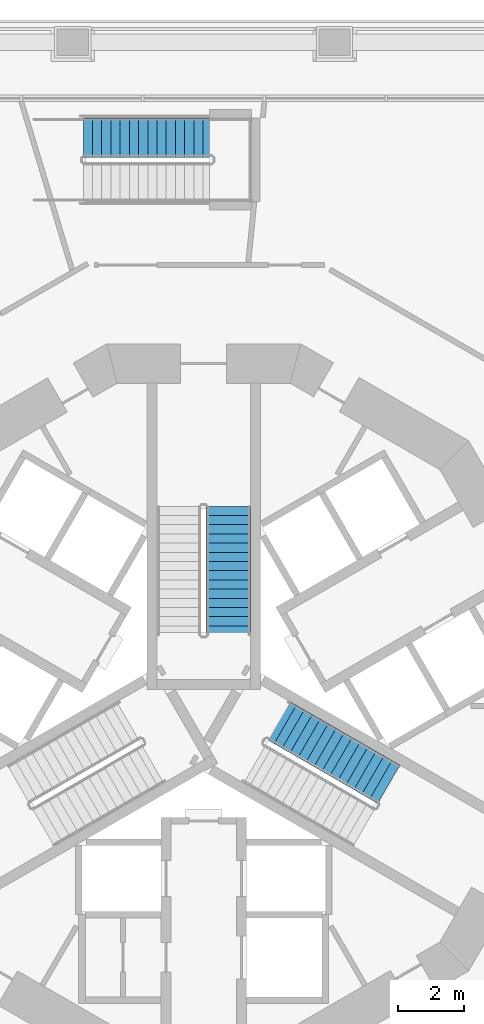
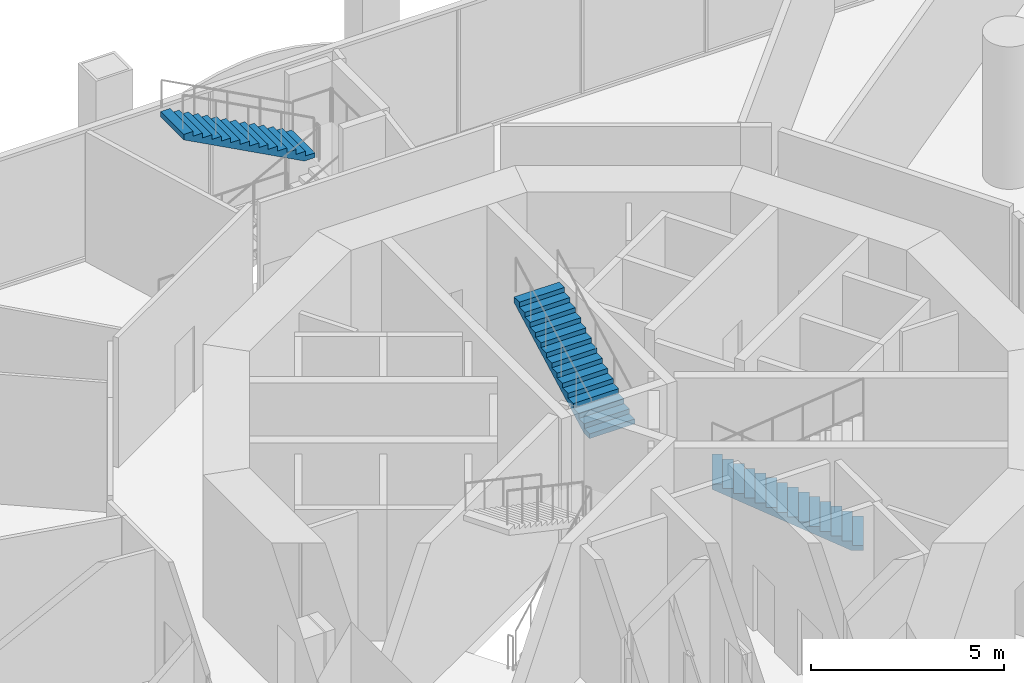
# One storey, part 15 of 23: 3 stair flights, 3 elements without a shape of their own.
"""IFC4 building model written with IfcOpenShell, lengths in metres."""

import ifcopenshell
import ifcopenshell.guid

model = None  # the IFC model being written
_history = None  # IfcOwnerHistory: only IFC2X3 demands one
_inside = {}  # id of a spatial element -> (the spatial element, [elements in it])
_under = {}  # id of a project, library or spatial element -> (it, [spatial elements below it])
_declared = {}  # id of a project -> (the project, [libraries it declares])
_typed = {}  # id of a type object -> (the type object, [elements of that type])
_made_of = {}  # id of a material, layer set ... -> (it, [elements and type objects made of it])


def new_model(schema):
    """Start an empty IFC model of exactly this schema.

    Asked for "IFC4X3", IfcOpenShell would pick the latest addendum, in which some entities
    have other attributes; the version numbers below select the first issue.
    IFC2X3 requires an IfcOwnerHistory on every rooted entity: one is made here for all.
    """
    global model, _history
    if schema == "IFC4X3":
        model = ifcopenshell.file(schema_version=(4, 3, 0, 0))
    else:
        model = ifcopenshell.file(schema=schema)
    _inside.clear()
    _under.clear()
    _declared.clear()
    _typed.clear()
    _made_of.clear()
    _history = None
    if model.schema == "IFC2X3":
        org = make("IfcOrganization", Name="unknown")
        user = make(
            "IfcPersonAndOrganization",
            ThePerson=make("IfcPerson", FamilyName="unknown"),
            TheOrganization=org,
        )
        app = make(
            "IfcApplication",
            ApplicationDeveloper=org,
            Version="unknown",
            ApplicationFullName="unknown",
            ApplicationIdentifier="unknown",
        )
        _history = make(
            "IfcOwnerHistory",
            OwningUser=user,
            OwningApplication=app,
            ChangeAction="ADDED",
            CreationDate=0,
        )
    return model


def make(cls, **values):
    """One entity of the class cls with the attributes given. An attribute that is None is left unset."""
    return model.create_entity(
        cls, **{name: value for name, value in values.items() if value is not None}
    )


def rooted(cls, **values):
    """An entity with a GlobalId (a new one), such as an element, a storey or a relation."""
    return make(cls, GlobalId=ifcopenshell.guid.new(), OwnerHistory=_history, **values)


def si_unit(unit_type, name, prefix=None):
    """IfcSIUnit, for example si_unit("LENGTHUNIT", "METRE", prefix="MILLI")."""
    return make("IfcSIUnit", UnitType=unit_type, Prefix=prefix, Name=name)


def assignment(units):
    """IfcUnitAssignment: the units of a project."""
    return None if units is None else make("IfcUnitAssignment", Units=units)


def point(xyz):
    """IfcCartesianPoint."""
    return None if xyz is None else make("IfcCartesianPoint", Coordinates=xyz)


def direction(xyz):
    """IfcDirection."""
    return None if xyz is None else make("IfcDirection", DirectionRatios=xyz)


def frame(location, z_axis=None, x_axis=None):
    """IfcAxis2Placement3D, a coordinate frame: its origin and axes. An axis left out is left unset."""
    return make(
        "IfcAxis2Placement3D",
        Location=point(location),
        Axis=direction(z_axis),
        RefDirection=direction(x_axis),
    )


def origin():
    """The frame at (0, 0, 0) with its axes left unset."""
    return frame((0.0, 0.0, 0.0))


def place(relative_to, where):
    """IfcLocalPlacement: puts the frame where relative to a parent placement (None: the world)."""
    return make(
        "IfcLocalPlacement", PlacementRelTo=relative_to, RelativePlacement=where
    )


def context(
    kind, dimensions, precision=None, world=None, true_north=None, identifier=None
):
    """IfcGeometricRepresentationContext, for example the 3D "Model" context."""
    return make(
        "IfcGeometricRepresentationContext",
        ContextIdentifier=identifier,
        ContextType=kind,
        CoordinateSpaceDimension=dimensions,
        Precision=precision,
        WorldCoordinateSystem=world,
        TrueNorth=true_north,
    )


def subcontext(parent, identifier, kind, view, scale=None):
    """IfcGeometricRepresentationSubContext, for example "Body" below "Model"."""
    return make(
        "IfcGeometricRepresentationSubContext",
        ContextIdentifier=identifier,
        ContextType=kind,
        ParentContext=parent,
        TargetScale=scale,
        TargetView=view,
    )


def project(units=None, contexts=None):
    """IfcProject with its units and contexts."""
    return rooted(
        "IfcProject",
        Name="project",
        RepresentationContexts=contexts,
        UnitsInContext=assignment(units),
    )


def spatial(cls, under=None, at=None, **own):
    """A site, building, storey or space (cls), placed at a placement, below another one or the project."""
    s = rooted(cls, ObjectPlacement=at, **own)
    if under is not None:
        _under.setdefault(under.id(), (under, []))[1].append(s)
    return s


def polyline(points):
    """IfcPolyline through the points."""
    return make("IfcPolyline", Points=[point(p) for p in points])


def outline(outer, holes=None, kind="AREA"):
    """IfcArbitraryClosedProfileDef: a profile drawn as a closed curve; with holes, ...WithVoids."""
    if holes is None:
        return make("IfcArbitraryClosedProfileDef", ProfileType=kind, OuterCurve=outer)
    return make(
        "IfcArbitraryProfileDefWithVoids",
        ProfileType=kind,
        OuterCurve=outer,
        InnerCurves=holes,
    )


def extrude(swept, where, along, depth):
    """IfcExtrudedAreaSolid: the profile swept, set in the frame where, extruded along a direction by depth."""
    return make(
        "IfcExtrudedAreaSolid",
        SweptArea=swept,
        Position=where,
        ExtrudedDirection=direction(along),
        Depth=depth,
    )


def shape(context_of_items, identifier, shape_type, items):
    """IfcShapeRepresentation: the items that make up one representation, for example the "Body"."""
    return make(
        "IfcShapeRepresentation",
        ContextOfItems=context_of_items,
        RepresentationIdentifier=identifier,
        RepresentationType=shape_type,
        Items=items,
    )


def material(Name=None, Category=None):
    """IfcMaterial."""
    return make("IfcMaterial", Name=Name, Category=Category)


def made_of(thing, what):
    """Note that an element or type object is made of a material, layer set ...; save() writes the relation."""
    if what is not None:
        _made_of.setdefault(what.id(), (what, []))[1].append(thing)
    return thing


def type_object(cls, material=None, **own):
    """A type object (cls), such as IfcWallType, which elements share."""
    return made_of(rooted(cls, **own), material)


def element(
    cls,
    number,
    at=None,
    inside=None,
    cuts=None,
    type_object=None,
    material=None,
    context=None,
    identifier="Body",
    shape_type=None,
    held_by="IfcProductDefinitionShape",
    body=None,
    shapes=None,
    **own,
):
    """One element of the class cls, such as IfcWall. Its Tag is "e" and its number.

    at: its placement. inside: the storey or other place that contains it. cuts: it is an
    opening in that element (IfcRelVoidsElement). A single representation is given by context,
    identifier, shape_type and body (its items); several are given by shapes. held_by: the class
    of the entity that holds the representations. save() writes the other relations.
    """
    e = rooted(cls, Tag="e%d" % number, ObjectPlacement=at, **own)
    if body is not None:
        shapes = [shape(context, identifier, shape_type, body)]
    if shapes is not None:
        e.Representation = make(held_by, Representations=shapes)
    if inside is not None:
        _inside.setdefault(inside.id(), (inside, []))[1].append(e)
    if cuts is not None:
        rooted(
            "IfcRelVoidsElement", RelatingBuildingElement=cuts, RelatedOpeningElement=e
        )
    if type_object is not None:
        _typed.setdefault(type_object.id(), (type_object, []))[1].append(e)
    return made_of(e, material)


def aggregate(whole, parts):
    """IfcRelAggregates: a whole, such as a stair, and the parts it consists of."""
    return rooted("IfcRelAggregates", RelatingObject=whole, RelatedObjects=parts)


def save(model, path):
    """Write the relations noted so far, then the file.

    IfcRelAggregates (storeys below a building ...), IfcRelContainedInSpatialStructure (elements
    in a storey), IfcRelDefinesByType, IfcRelAssociatesMaterial and IfcRelDeclares: one each for
    every whole, place, type object, material and project.
    """
    for whole, parts in _under.values():
        aggregate(whole, parts)
    for where, things in _inside.values():
        rooted(
            "IfcRelContainedInSpatialStructure",
            RelatedElements=things,
            RelatingStructure=where,
        )
    for kind, things in _typed.values():
        rooted("IfcRelDefinesByType", RelatedObjects=things, RelatingType=kind)
    for what, things in _made_of.values():
        rooted("IfcRelAssociatesMaterial", RelatedObjects=things, RelatingMaterial=what)
    for by, libraries in _declared.values():
        rooted("IfcRelDeclares", RelatingContext=by, RelatedDefinitions=libraries)
    model.write(path)


model = new_model("IFC4")

# Units and contexts
model_context = context("Model", 3, precision=1e-05, world=origin(), true_north=direction((0.0, 1.0)))
body_context = subcontext(model_context, "Body", "Model", "MODEL_VIEW")
ifc_project = project(units=[si_unit("LENGTHUNIT", "METRE"), si_unit("AREAUNIT", "SQUARE_METRE"), si_unit("VOLUMEUNIT", "CUBIC_METRE"), si_unit("PLANEANGLEUNIT", "RADIAN"), si_unit("MASSUNIT", "GRAM", prefix="KILO")], contexts=[model_context])

# Site, building, storey
site_placement = place(None, origin())
site = spatial("IfcSite", under=ifc_project, at=site_placement, CompositionType="ELEMENT")
building_placement = place(site_placement, origin())
building = spatial("IfcBuilding", under=site, at=building_placement, Name="Trine Commons Tower", CompositionType="ELEMENT")
storey_placement = place(building_placement, frame((0.0, 0.0, 18.0)))
storey = spatial("IfcBuildingStorey", under=building, at=storey_placement, Name="L03", CompositionType="ELEMENT", Elevation=18.0)

# Stair, stair flight
ifc_material_1 = material(Name="Concrete C40/50", Category="concrete")
stair_type_1 = type_object("IfcStairType", Name="Podium stair, dog-leg 1200 mm, C40/50", PredefinedType="HALF_TURN_STAIR", material=ifc_material_1)
stair_1_placement = place(storey_placement, origin())
stair_1 = element("IfcStair", 1, at=stair_1_placement, inside=storey, type_object=stair_type_1, Name="L03 Podium stair", PredefinedType="HALF_TURN_STAIR")
stair_flight_type_1 = type_object("IfcStairFlightType", Name="Podium stair flight 1200 mm, C40/50", PredefinedType="STRAIGHT", material=ifc_material_1)
stair_flight_1_placement = place(storey_placement, frame((80.260009765625, 79.784912109375, 2.25), z_axis=(0.0, 0.0, 1.0), x_axis=(-1.0, 0.0, 0.0)))
stair_flight_1 = element("IfcStairFlight", 2, at=stair_flight_1_placement, type_object=stair_flight_type_1, Name="PS1 flight 2", NumberOfRisers=15, NumberOfTreads=14, PredefinedType="STRAIGHT", RiserHeight=0.15, TreadLength=0.28, context=body_context, shape_type="SweptSolid", body=[
    extrude(outline(polyline([(0.0, 0.0), (0.0, 0.14990234375), (0.280029296875, 0.14990234375), (0.280029296875, 0.300048828125), (0.56005859375, 0.300048828125), (0.56005859375, 0.449951171875), (0.840087890625, 0.449951171875), (0.840087890625, 0.60009765625), (1.1201171875, 0.60009765625), (1.1201171875, 0.75), (1.39990234375, 0.75), (1.39990234375, 0.89990234375), (1.679931640625, 0.89990234375), (1.679931640625, 1.050048828125), (1.9599609375, 1.050048828125), (1.9599609375, 1.199951171875), (2.239990234375, 1.199951171875), (2.239990234375, 1.35009765625), (2.52001953125, 1.35009765625), (2.52001953125, 1.5), (2.800048828125, 1.5), (2.800048828125, 1.64990234375), (3.080078125, 1.64990234375), (3.080078125, 1.800048828125), (3.360107421875, 1.800048828125), (3.360107421875, 1.949951171875), (3.639892578125, 1.949951171875), (3.639892578125, 2.10009765625), (3.919921875, 2.10009765625), (3.919921875, 2.25), (3.919921875, 1.929931640625), (0.3173828125, 0.0), (0.0, 0.0)])), frame((0.0, 0.60009765625, 0.0), z_axis=(0.0, -1.0, 0.0), x_axis=(1.0, 0.0, 0.0)), (0.0, 0.0, 1.0), 1.199951171875),
])
aggregate(stair_1, [stair_flight_1])

ifc_material_2 = material(Name="Concrete C50/60", Category="concrete")
stair_type_2 = type_object("IfcStairType", Name="Exit stair, dog-leg, 30 risers of 150 mm", PredefinedType="HALF_TURN_STAIR", material=ifc_material_2)
stair_2_placement = place(storey_placement, origin())
stair_2 = element("IfcStair", 3, at=stair_2_placement, inside=storey, type_object=stair_type_2, Name="L03 Exit stair ST1A", PredefinedType="HALF_TURN_STAIR")
stair_flight_type_2 = type_object("IfcStairFlightType", Name="Stair flight, 1350 wide, 15 risers of 150 mm", PredefinedType="STRAIGHT", material=ifc_material_2)
stair_flight_2_placement = place(storey_placement, frame((80.75, 64.650634765625, 2.25), z_axis=(0.0, 0.0, 1.0), x_axis=(0.0, 1.0, 0.0)))
stair_flight_2 = element("IfcStairFlight", 4, at=stair_flight_2_placement, type_object=stair_flight_type_2, Name="ST1A flight 2", NumberOfRisers=15, NumberOfTreads=14, PredefinedType="STRAIGHT", RiserHeight=0.15, TreadLength=0.28, context=body_context, shape_type="SweptSolid", body=[
    extrude(outline(polyline([(0.0, 0.0), (0.0, 0.14990234375), (0.280029296875, 0.14990234375), (0.280029296875, 0.300048828125), (0.56005859375, 0.300048828125), (0.56005859375, 0.449951171875), (0.840087890625, 0.449951171875), (0.840087890625, 0.60009765625), (1.1201171875, 0.60009765625), (1.1201171875, 0.75), (1.39990234375, 0.75), (1.39990234375, 0.89990234375), (1.679931640625, 0.89990234375), (1.679931640625, 1.050048828125), (1.9599609375, 1.050048828125), (1.9599609375, 1.199951171875), (2.239990234375, 1.199951171875), (2.239990234375, 1.35009765625), (2.52001953125, 1.35009765625), (2.52001953125, 1.5), (2.800048828125, 1.5), (2.800048828125, 1.64990234375), (3.080078125, 1.64990234375), (3.080078125, 1.800048828125), (3.360107421875, 1.800048828125), (3.360107421875, 1.949951171875), (3.639892578125, 1.949951171875), (3.639892578125, 2.10009765625), (3.919921875, 2.10009765625), (3.919921875, 2.25), (3.919921875, 1.929931640625), (0.3173828125, 0.0), (0.0, 0.0)])), frame((0.0, 0.675048828125, 0.0), z_axis=(0.0, -1.0, 0.0), x_axis=(1.0, 0.0, 0.0)), (0.0, 0.0, 1.0), 1.35009765625),
])
aggregate(stair_2, [stair_flight_2])

stair_3_placement = place(storey_placement, origin())
stair_3 = element("IfcStair", 5, at=stair_3_placement, inside=storey, type_object=stair_type_2, Name="L03 Exit stair ST3A", PredefinedType="HALF_TURN_STAIR")
stair_flight_3_placement = place(storey_placement, frame((85.63232421875, 60.1142578125, 0.0), z_axis=(0.0, 0.0, 1.0), x_axis=(-0.866025403784, 0.5, 0.0)))
stair_flight_3 = element("IfcStairFlight", 6, at=stair_flight_3_placement, type_object=stair_flight_type_2, Name="ST3A flight 1", NumberOfRisers=15, NumberOfTreads=14, PredefinedType="STRAIGHT", RiserHeight=0.15, TreadLength=0.28, context=body_context, shape_type="SweptSolid", body=[
    extrude(outline(polyline([(0.0, 0.0), (0.0, 0.14990234375), (0.280029296875, 0.14990234375), (0.280029296875, 0.300048828125), (0.56005859375, 0.300048828125), (0.56005859375, 0.449951171875), (0.840087890625, 0.449951171875), (0.840087890625, 0.60009765625), (1.1201171875, 0.60009765625), (1.1201171875, 0.75), (1.39990234375, 0.75), (1.39990234375, 0.89990234375), (1.679931640625, 0.89990234375), (1.679931640625, 1.050048828125), (1.9599609375, 1.050048828125), (1.9599609375, 1.199951171875), (2.239990234375, 1.199951171875), (2.239990234375, 1.35009765625), (2.52001953125, 1.35009765625), (2.52001953125, 1.5), (2.800048828125, 1.5), (2.800048828125, 1.64990234375), (3.080078125, 1.64990234375), (3.080078125, 1.800048828125), (3.360107421875, 1.800048828125), (3.360107421875, 1.949951171875), (3.639892578125, 1.949951171875), (3.639892578125, 2.10009765625), (3.919921875, 2.10009765625), (3.919921875, 2.25), (3.919921875, 1.929931640625), (0.3173828125, 0.0), (0.0, 0.0)])), frame((0.0, 0.675048828125, 0.0), z_axis=(0.0, -1.0, 0.0), x_axis=(1.0, 0.0, 0.0)), (0.0, 0.0, 1.0), 1.35009765625),
])
aggregate(stair_3, [stair_flight_3])

save(model, "model.ifc")
